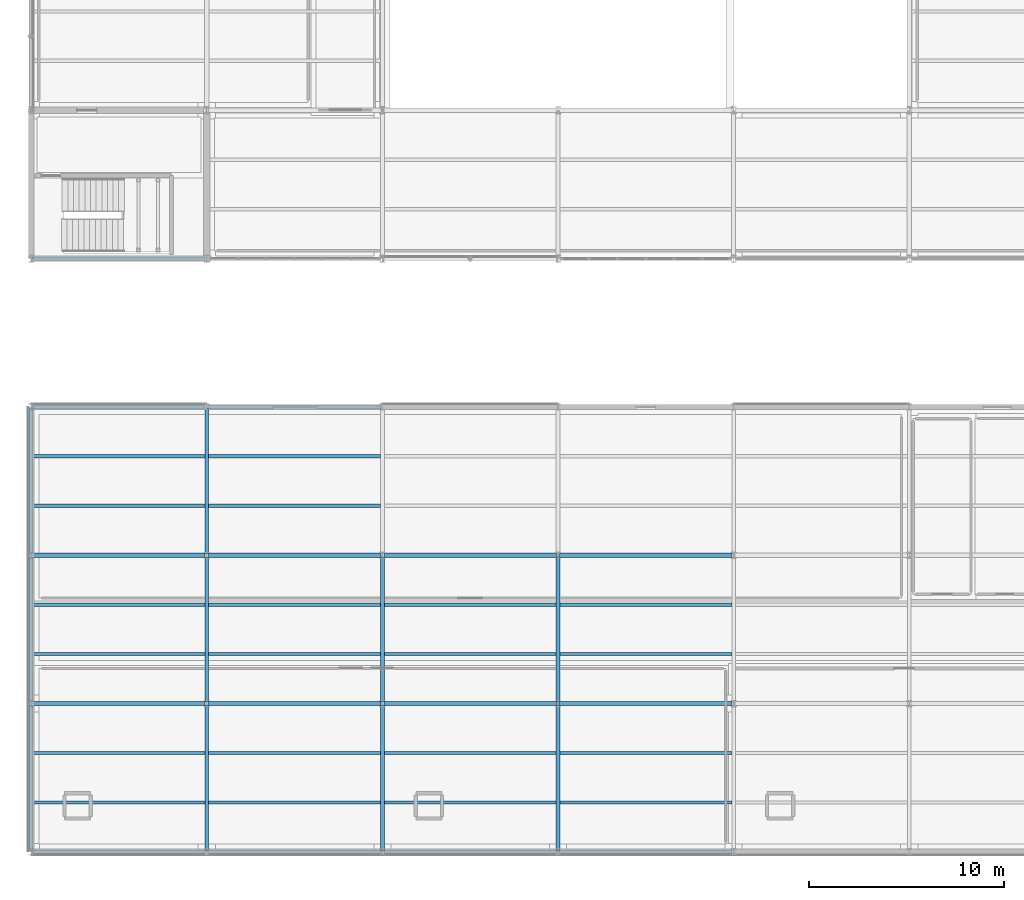
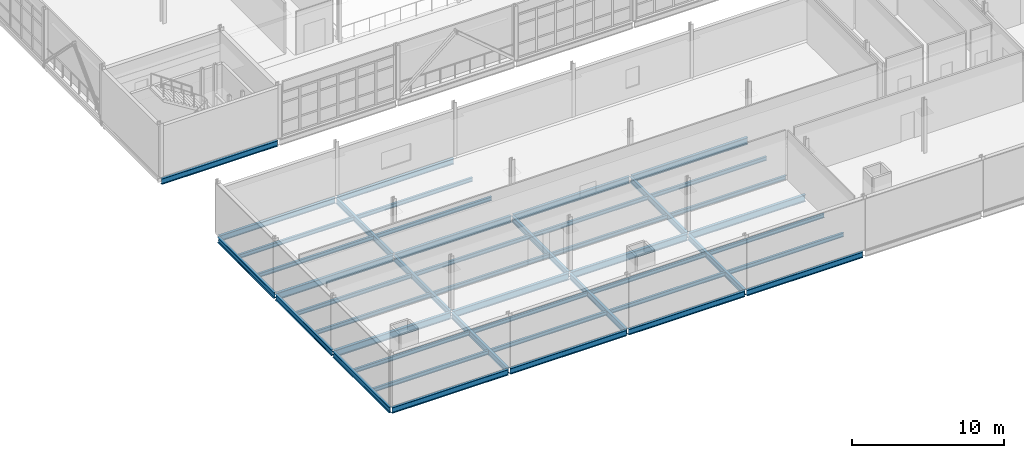
# One storey, part 28 of 174: 45 beams.
"""IFC4 building model written with IfcOpenShell, lengths in metres."""

import ifcopenshell
import ifcopenshell.guid

model = None  # the IFC model being written
_history = None  # IfcOwnerHistory: only IFC2X3 demands one
_inside = {}  # id of a spatial element -> (the spatial element, [elements in it])
_under = {}  # id of a project, library or spatial element -> (it, [spatial elements below it])
_declared = {}  # id of a project -> (the project, [libraries it declares])
_typed = {}  # id of a type object -> (the type object, [elements of that type])
_made_of = {}  # id of a material, layer set ... -> (it, [elements and type objects made of it])


def new_model(schema):
    """Start an empty IFC model of exactly this schema.

    Asked for "IFC4X3", IfcOpenShell would pick the latest addendum, in which some entities
    have other attributes; the version numbers below select the first issue.
    IFC2X3 requires an IfcOwnerHistory on every rooted entity: one is made here for all.
    """
    global model, _history
    if schema == "IFC4X3":
        model = ifcopenshell.file(schema_version=(4, 3, 0, 0))
    else:
        model = ifcopenshell.file(schema=schema)
    _inside.clear()
    _under.clear()
    _declared.clear()
    _typed.clear()
    _made_of.clear()
    _history = None
    if model.schema == "IFC2X3":
        org = make("IfcOrganization", Name="unknown")
        user = make(
            "IfcPersonAndOrganization",
            ThePerson=make("IfcPerson", FamilyName="unknown"),
            TheOrganization=org,
        )
        app = make(
            "IfcApplication",
            ApplicationDeveloper=org,
            Version="unknown",
            ApplicationFullName="unknown",
            ApplicationIdentifier="unknown",
        )
        _history = make(
            "IfcOwnerHistory",
            OwningUser=user,
            OwningApplication=app,
            ChangeAction="ADDED",
            CreationDate=0,
        )
    return model


def make(cls, **values):
    """One entity of the class cls with the attributes given. An attribute that is None is left unset."""
    return model.create_entity(
        cls, **{name: value for name, value in values.items() if value is not None}
    )


def rooted(cls, **values):
    """An entity with a GlobalId (a new one), such as an element, a storey or a relation."""
    return make(cls, GlobalId=ifcopenshell.guid.new(), OwnerHistory=_history, **values)


def si_unit(unit_type, name, prefix=None):
    """IfcSIUnit, for example si_unit("LENGTHUNIT", "METRE", prefix="MILLI")."""
    return make("IfcSIUnit", UnitType=unit_type, Prefix=prefix, Name=name)


def assignment(units):
    """IfcUnitAssignment: the units of a project."""
    return None if units is None else make("IfcUnitAssignment", Units=units)


def point(xyz):
    """IfcCartesianPoint."""
    return None if xyz is None else make("IfcCartesianPoint", Coordinates=xyz)


def direction(xyz):
    """IfcDirection."""
    return None if xyz is None else make("IfcDirection", DirectionRatios=xyz)


def frame(location, z_axis=None, x_axis=None):
    """IfcAxis2Placement3D, a coordinate frame: its origin and axes. An axis left out is left unset."""
    return make(
        "IfcAxis2Placement3D",
        Location=point(location),
        Axis=direction(z_axis),
        RefDirection=direction(x_axis),
    )


def frame_2d(location, x_axis=None):
    """IfcAxis2Placement2D, a coordinate frame in the plane: its origin and x axis."""
    return make(
        "IfcAxis2Placement2D", Location=point(location), RefDirection=direction(x_axis)
    )


def origin():
    """The frame at (0, 0, 0) with its axes left unset."""
    return frame((0.0, 0.0, 0.0))


def origin_2d():
    """The frame at (0, 0) in the plane with its x axis left unset."""
    return frame_2d((0.0, 0.0))


def place(relative_to, where):
    """IfcLocalPlacement: puts the frame where relative to a parent placement (None: the world)."""
    return make(
        "IfcLocalPlacement", PlacementRelTo=relative_to, RelativePlacement=where
    )


def context(
    kind, dimensions, precision=None, world=None, true_north=None, identifier=None
):
    """IfcGeometricRepresentationContext, for example the 3D "Model" context."""
    return make(
        "IfcGeometricRepresentationContext",
        ContextIdentifier=identifier,
        ContextType=kind,
        CoordinateSpaceDimension=dimensions,
        Precision=precision,
        WorldCoordinateSystem=world,
        TrueNorth=true_north,
    )


def subcontext(parent, identifier, kind, view, scale=None):
    """IfcGeometricRepresentationSubContext, for example "Body" below "Model"."""
    return make(
        "IfcGeometricRepresentationSubContext",
        ContextIdentifier=identifier,
        ContextType=kind,
        ParentContext=parent,
        TargetScale=scale,
        TargetView=view,
    )


def project(units=None, contexts=None):
    """IfcProject with its units and contexts."""
    return rooted(
        "IfcProject",
        Name="project",
        RepresentationContexts=contexts,
        UnitsInContext=assignment(units),
    )


def spatial(cls, under=None, at=None, **own):
    """A site, building, storey or space (cls), placed at a placement, below another one or the project."""
    s = rooted(cls, ObjectPlacement=at, **own)
    if under is not None:
        _under.setdefault(under.id(), (under, []))[1].append(s)
    return s


def profile(cls, at=None, kind="AREA", **sizes):
    """A parametric profile (cls). Its sizes go by their IFC names, for example OverallWidth=200.0."""
    return make(cls, ProfileType=kind, Position=at, **sizes)


def i_section(**sizes):
    """IfcIShapeProfileDef."""
    return profile("IfcIShapeProfileDef", **sizes)


def extrude(swept, where, along, depth):
    """IfcExtrudedAreaSolid: the profile swept, set in the frame where, extruded along a direction by depth."""
    return make(
        "IfcExtrudedAreaSolid",
        SweptArea=swept,
        Position=where,
        ExtrudedDirection=direction(along),
        Depth=depth,
    )


def shape(context_of_items, identifier, shape_type, items):
    """IfcShapeRepresentation: the items that make up one representation, for example the "Body"."""
    return make(
        "IfcShapeRepresentation",
        ContextOfItems=context_of_items,
        RepresentationIdentifier=identifier,
        RepresentationType=shape_type,
        Items=items,
    )


def material(Name=None, Category=None):
    """IfcMaterial."""
    return make("IfcMaterial", Name=Name, Category=Category)


def material_profile(
    of_material, cross_section, Name=None, Category=None, Priority=None
):
    """IfcMaterialProfile: a cross section and its material."""
    return make(
        "IfcMaterialProfile",
        Name=Name,
        Material=of_material,
        Profile=cross_section,
        Priority=Priority,
        Category=Category,
    )


def profile_set(profiles, Name=None, composite=None):
    """IfcMaterialProfileSet."""
    return make(
        "IfcMaterialProfileSet",
        Name=Name,
        MaterialProfiles=profiles,
        CompositeProfile=composite,
    )


def made_of(thing, what):
    """Note that an element or type object is made of a material, layer set ...; save() writes the relation."""
    if what is not None:
        _made_of.setdefault(what.id(), (what, []))[1].append(thing)
    return thing


def type_object(cls, material=None, **own):
    """A type object (cls), such as IfcWallType, which elements share."""
    return made_of(rooted(cls, **own), material)


def element(
    cls,
    number,
    at=None,
    inside=None,
    cuts=None,
    type_object=None,
    material=None,
    context=None,
    identifier="Body",
    shape_type=None,
    held_by="IfcProductDefinitionShape",
    body=None,
    shapes=None,
    **own,
):
    """One element of the class cls, such as IfcWall. Its Tag is "e" and its number.

    at: its placement. inside: the storey or other place that contains it. cuts: it is an
    opening in that element (IfcRelVoidsElement). A single representation is given by context,
    identifier, shape_type and body (its items); several are given by shapes. held_by: the class
    of the entity that holds the representations. save() writes the other relations.
    """
    e = rooted(cls, Tag="e%d" % number, ObjectPlacement=at, **own)
    if body is not None:
        shapes = [shape(context, identifier, shape_type, body)]
    if shapes is not None:
        e.Representation = make(held_by, Representations=shapes)
    if inside is not None:
        _inside.setdefault(inside.id(), (inside, []))[1].append(e)
    if cuts is not None:
        rooted(
            "IfcRelVoidsElement", RelatingBuildingElement=cuts, RelatedOpeningElement=e
        )
    if type_object is not None:
        _typed.setdefault(type_object.id(), (type_object, []))[1].append(e)
    return made_of(e, material)


def aggregate(whole, parts):
    """IfcRelAggregates: a whole, such as a stair, and the parts it consists of."""
    return rooted("IfcRelAggregates", RelatingObject=whole, RelatedObjects=parts)


def save(model, path):
    """Write the relations noted so far, then the file.

    IfcRelAggregates (storeys below a building ...), IfcRelContainedInSpatialStructure (elements
    in a storey), IfcRelDefinesByType, IfcRelAssociatesMaterial and IfcRelDeclares: one each for
    every whole, place, type object, material and project.
    """
    for whole, parts in _under.values():
        aggregate(whole, parts)
    for where, things in _inside.values():
        rooted(
            "IfcRelContainedInSpatialStructure",
            RelatedElements=things,
            RelatingStructure=where,
        )
    for kind, things in _typed.values():
        rooted("IfcRelDefinesByType", RelatedObjects=things, RelatingType=kind)
    for what, things in _made_of.values():
        rooted("IfcRelAssociatesMaterial", RelatedObjects=things, RelatingMaterial=what)
    for by, libraries in _declared.values():
        rooted("IfcRelDeclares", RelatingContext=by, RelatedDefinitions=libraries)
    model.write(path)


model = new_model("IFC4")

# Units and contexts
model_context = context("Model", 3, precision=1e-05, world=origin(), true_north=direction((0.0, 1.0)))
body_context = subcontext(model_context, "Body", "Model", "MODEL_VIEW")
ifc_project = project(units=[si_unit("LENGTHUNIT", "METRE"), si_unit("AREAUNIT", "SQUARE_METRE"), si_unit("VOLUMEUNIT", "CUBIC_METRE"), si_unit("PLANEANGLEUNIT", "RADIAN"), si_unit("MASSUNIT", "GRAM", prefix="KILO")], contexts=[model_context])

# Site, building, storey
site_placement = place(None, origin())
site = spatial("IfcSite", under=ifc_project, at=site_placement, CompositionType="ELEMENT")
building_placement = place(site_placement, origin())
building = spatial("IfcBuilding", under=site, at=building_placement, Name="Caisbarro Railhouse Central Library", CompositionType="ELEMENT")
storey_placement = place(building_placement, frame((0.0, 0.0, 5.0400390625)))
storey = spatial("IfcBuildingStorey", under=building, at=storey_placement, Name="L01", CompositionType="ELEMENT", Elevation=5.0400390625)

# Beams
ifc_material = material(Name="Steel ASTM A572 Grade 50", Category="steel")
ifc_material_profile_1 = material_profile(ifc_material, i_section(OverallWidth=0.2119140625, OverallDepth=0.5439453125, WebThickness=0.01318359375, FlangeThickness=0.021240234375, FilletRadius=0.02001953125, at=origin_2d()), Name="W530X123.0")
ifc_profile_set_1 = profile_set([ifc_material_profile_1], Name="Steel ASTM A572 Grade 50")
beam_type_1 = type_object("IfcBeamType", Name="BM-G05", PredefinedType="BEAM", material=ifc_profile_set_1)
for number, where, z_axis, x_axis, name in (
    (1, (0.080078125, 7.60009765625, -0.471923828125), (1.0, 0.0, 0.0), (0.0, 1.0, 0.0), "G05 beam L01 #1087"),
    (2, (9.080078125, 7.60009765625, -0.471923828125), (1.0, 0.0, 0.0), (0.0, 1.0, 0.0), "G05 beam L01 #1088"),
    (3, (18.080078125, 7.60009765625, -0.471923828125), (1.0, 0.0, 0.0), (0.0, 1.0, 0.0), "G05 beam L01 #1089"),
    (4, (27.080078125, 7.60009765625, -0.471923828125), (1.0, 0.0, 0.0), (0.0, 1.0, 0.0), "G05 beam L01 #1090"),
    (5, (0.080078125, 15.199951171875, -0.471923828125), (1.0, 0.0, 0.0), (0.0, 1.0, 0.0), "G05 beam L01 #1093"),
    (6, (9.080078125, 15.199951171875, -0.471923828125), (1.0, 0.0, 0.0), (0.0, 1.0, 0.0), "G05 beam L01 #1094"),
    (7, (18.080078125, 15.199951171875, -0.471923828125), (1.0, 0.0, 0.0), (0.0, 1.0, 0.0), "G05 beam L01 #1095"),
    (8, (27.080078125, 15.199951171875, -0.471923828125), (1.0, 0.0, 0.0), (0.0, 1.0, 0.0), "G05 beam L01 #1096"),
):
    element("IfcBeam", number, at=place(storey_placement, frame(where, z_axis=z_axis, x_axis=x_axis)), inside=storey, type_object=beam_type_1, Name=name, PredefinedType="BEAM", context=body_context, shape_type="SweptSolid", body=[
        extrude(i_section(OverallWidth=0.2119140625, OverallDepth=0.5439453125, WebThickness=0.01318359375, FlangeThickness=0.021240234375, FilletRadius=0.02001953125, at=origin_2d()), origin(), (0.0, 0.0, 1.0), 8.83984375),
    ])
ifc_material_profile_2 = material_profile(ifc_material, i_section(OverallWidth=0.194091796875, OverallDepth=0.468994140625, WebThickness=0.0126953125, FlangeThickness=0.0205078125, FilletRadius=0.01806640625, at=origin_2d()), Name="W460X106.0")
ifc_profile_set_2 = profile_set([ifc_material_profile_2], Name="Steel ASTM A572 Grade 50")
beam_type_2 = type_object("IfcBeamType", Name="BM-G07", PredefinedType="BEAM", material=ifc_profile_set_2)
beam_1_placement = place(storey_placement, frame((0.0, 0.080078125, -0.4345703125), z_axis=(0.0, 1.0, 0.0), x_axis=(-1.0, 0.0, 0.0)))
element("IfcBeam", 9, at=beam_1_placement, inside=storey, type_object=beam_type_2, Name="G07 beam L01 #1105", PredefinedType="BEAM", context=body_context, shape_type="SweptSolid", body=[
    extrude(i_section(OverallWidth=0.194091796875, OverallDepth=0.468994140625, WebThickness=0.0126953125, FlangeThickness=0.0205078125, FilletRadius=0.01806640625, at=origin_2d()), origin(), (0.0, 0.0, 1.0), 7.43994140625),
])
beam_2_placement = place(storey_placement, frame((0.0, 7.679931640625, -0.4345703125), z_axis=(0.0, 1.0, 0.0), x_axis=(-1.0, 0.0, 0.0)))
element("IfcBeam", 10, at=beam_2_placement, inside=storey, type_object=beam_type_2, Name="G07 beam L01 #1106", PredefinedType="BEAM", context=body_context, shape_type="SweptSolid", body=[
    extrude(i_section(OverallWidth=0.194091796875, OverallDepth=0.468994140625, WebThickness=0.0126953125, FlangeThickness=0.0205078125, FilletRadius=0.01806640625, at=origin_2d()), origin(), (0.0, 0.0, 1.0), 7.440185546875),
])
for number, where, z_axis, x_axis, name in (
    (11, (0.0, 15.280029296875, -0.4345703125), (0.0, 1.0, 0.0), (-1.0, 0.0, 0.0), "G07 beam L01 #1107"),
    (12, (9.0, 0.080078125, -0.4345703125), (0.0, 1.0, 0.0), (-1.0, 0.0, 0.0), "G07 beam L01 #1108"),
):
    element("IfcBeam", number, at=place(storey_placement, frame(where, z_axis=z_axis, x_axis=x_axis)), inside=storey, type_object=beam_type_2, Name=name, PredefinedType="BEAM", context=body_context, shape_type="SweptSolid", body=[
        extrude(i_section(OverallWidth=0.194091796875, OverallDepth=0.468994140625, WebThickness=0.0126953125, FlangeThickness=0.0205078125, FilletRadius=0.01806640625, at=origin_2d()), origin(), (0.0, 0.0, 1.0), 7.43994140625),
    ])
beam_3_placement = place(storey_placement, frame((9.0, 7.679931640625, -0.4345703125), z_axis=(0.0, 1.0, 0.0), x_axis=(-1.0, 0.0, 0.0)))
element("IfcBeam", 13, at=beam_3_placement, inside=storey, type_object=beam_type_2, Name="G07 beam L01 #1109", PredefinedType="BEAM", context=body_context, shape_type="SweptSolid", body=[
    extrude(i_section(OverallWidth=0.194091796875, OverallDepth=0.468994140625, WebThickness=0.0126953125, FlangeThickness=0.0205078125, FilletRadius=0.01806640625, at=origin_2d()), origin(), (0.0, 0.0, 1.0), 7.440185546875),
])
for number, where, z_axis, x_axis, name in (
    (14, (9.0, 15.280029296875, -0.4345703125), (0.0, 1.0, 0.0), (-1.0, 0.0, 0.0), "G07 beam L01 #1110"),
    (15, (18.0, 0.080078125, -0.4345703125), (0.0, 1.0, 0.0), (-1.0, 0.0, 0.0), "G07 beam L01 #1111"),
):
    element("IfcBeam", number, at=place(storey_placement, frame(where, z_axis=z_axis, x_axis=x_axis)), inside=storey, type_object=beam_type_2, Name=name, PredefinedType="BEAM", context=body_context, shape_type="SweptSolid", body=[
        extrude(i_section(OverallWidth=0.194091796875, OverallDepth=0.468994140625, WebThickness=0.0126953125, FlangeThickness=0.0205078125, FilletRadius=0.01806640625, at=origin_2d()), origin(), (0.0, 0.0, 1.0), 7.43994140625),
    ])
beam_4_placement = place(storey_placement, frame((18.0, 7.679931640625, -0.4345703125), z_axis=(0.0, 1.0, 0.0), x_axis=(-1.0, 0.0, 0.0)))
element("IfcBeam", 16, at=beam_4_placement, inside=storey, type_object=beam_type_2, Name="G07 beam L01 #1112", PredefinedType="BEAM", context=body_context, shape_type="SweptSolid", body=[
    extrude(i_section(OverallWidth=0.194091796875, OverallDepth=0.468994140625, WebThickness=0.0126953125, FlangeThickness=0.0205078125, FilletRadius=0.01806640625, at=origin_2d()), origin(), (0.0, 0.0, 1.0), 7.440185546875),
])
beam_5_placement = place(storey_placement, frame((27.0, 0.080078125, -0.4345703125), z_axis=(0.0, 1.0, 0.0), x_axis=(-1.0, 0.0, 0.0)))
element("IfcBeam", 17, at=beam_5_placement, inside=storey, type_object=beam_type_2, Name="G07 beam L01 #1114", PredefinedType="BEAM", context=body_context, shape_type="SweptSolid", body=[
    extrude(i_section(OverallWidth=0.194091796875, OverallDepth=0.468994140625, WebThickness=0.0126953125, FlangeThickness=0.0205078125, FilletRadius=0.01806640625, at=origin_2d()), origin(), (0.0, 0.0, 1.0), 7.43994140625),
])
beam_6_placement = place(storey_placement, frame((27.0, 7.679931640625, -0.4345703125), z_axis=(0.0, 1.0, 0.0), x_axis=(-1.0, 0.0, 0.0)))
element("IfcBeam", 18, at=beam_6_placement, inside=storey, type_object=beam_type_2, Name="G07 beam L01 #1115", PredefinedType="BEAM", context=body_context, shape_type="SweptSolid", body=[
    extrude(i_section(OverallWidth=0.194091796875, OverallDepth=0.468994140625, WebThickness=0.0126953125, FlangeThickness=0.0205078125, FilletRadius=0.01806640625, at=origin_2d()), origin(), (0.0, 0.0, 1.0), 7.440185546875),
])
ifc_material_profile_3 = material_profile(ifc_material, i_section(OverallWidth=0.1669921875, OverallDepth=0.31689453125, WebThickness=0.007568359375, FlangeThickness=0.01318359375, FilletRadius=0.011962890625, at=origin_2d()), Name="W310X52.0")
ifc_profile_set_3 = profile_set([ifc_material_profile_3], Name="Steel ASTM A572 Grade 50")
beam_type_3 = type_object("IfcBeamType", Name="BM-J02", PredefinedType="JOIST", material=ifc_profile_set_3)
for number, where, z_axis, x_axis, name in (
    (19, (0.096923828125, 2.533203125, -0.358642578125), (1.0, 0.0, 0.0), (0.0, 1.0, 0.0), "J02 beam L01 #1123"),
    (20, (0.096923828125, 5.066650390625, -0.358642578125), (1.0, 0.0, 0.0), (0.0, 1.0, 0.0), "J02 beam L01 #1124"),
    (21, (0.096923828125, 10.13330078125, -0.358642578125), (1.0, 0.0, 0.0), (0.0, 1.0, 0.0), "J02 beam L01 #1125"),
    (22, (0.096923828125, 12.666748046875, -0.358642578125), (1.0, 0.0, 0.0), (0.0, 1.0, 0.0), "J02 beam L01 #1126"),
    (23, (0.096923828125, 17.7333984375, -0.358642578125), (1.0, 0.0, 0.0), (0.0, 1.0, 0.0), "J02 beam L01 #1127"),
    (24, (0.096923828125, 20.2666015625, -0.358642578125), (1.0, 0.0, 0.0), (0.0, 1.0, 0.0), "J02 beam L01 #1128"),
    (25, (9.096923828125, 2.533203125, -0.358642578125), (1.0, 0.0, 0.0), (0.0, 1.0, 0.0), "J02 beam L01 #1129"),
    (26, (9.096923828125, 5.066650390625, -0.358642578125), (1.0, 0.0, 0.0), (0.0, 1.0, 0.0), "J02 beam L01 #1130"),
    (27, (9.096923828125, 10.13330078125, -0.358642578125), (1.0, 0.0, 0.0), (0.0, 1.0, 0.0), "J02 beam L01 #1131"),
    (28, (9.096923828125, 12.666748046875, -0.358642578125), (1.0, 0.0, 0.0), (0.0, 1.0, 0.0), "J02 beam L01 #1132"),
    (29, (9.096923828125, 17.7333984375, -0.358642578125), (1.0, 0.0, 0.0), (0.0, 1.0, 0.0), "J02 beam L01 #1133"),
    (30, (9.096923828125, 20.2666015625, -0.358642578125), (1.0, 0.0, 0.0), (0.0, 1.0, 0.0), "J02 beam L01 #1134"),
    (31, (18.096923828125, 2.533203125, -0.358642578125), (1.0, 0.0, 0.0), (0.0, 1.0, 0.0), "J02 beam L01 #1135"),
    (32, (18.096923828125, 5.066650390625, -0.358642578125), (1.0, 0.0, 0.0), (0.0, 1.0, 0.0), "J02 beam L01 #1136"),
    (33, (18.096923828125, 10.13330078125, -0.358642578125), (1.0, 0.0, 0.0), (0.0, 1.0, 0.0), "J02 beam L01 #1137"),
    (34, (18.096923828125, 12.666748046875, -0.358642578125), (1.0, 0.0, 0.0), (0.0, 1.0, 0.0), "J02 beam L01 #1138"),
    (35, (27.096923828125, 2.533203125, -0.358642578125), (1.0, 0.0, 0.0), (0.0, 1.0, 0.0), "J02 beam L01 #1141"),
    (36, (27.096923828125, 5.066650390625, -0.358642578125), (1.0, 0.0, 0.0), (0.0, 1.0, 0.0), "J02 beam L01 #1142"),
    (37, (27.096923828125, 10.13330078125, -0.358642578125), (1.0, 0.0, 0.0), (0.0, 1.0, 0.0), "J02 beam L01 #1143"),
    (38, (27.096923828125, 12.666748046875, -0.358642578125), (1.0, 0.0, 0.0), (0.0, 1.0, 0.0), "J02 beam L01 #1144"),
):
    element("IfcBeam", number, at=place(storey_placement, frame(where, z_axis=z_axis, x_axis=x_axis)), inside=storey, type_object=beam_type_3, Name=name, PredefinedType="JOIST", context=body_context, shape_type="SweptSolid", body=[
        extrude(i_section(OverallWidth=0.1669921875, OverallDepth=0.31689453125, WebThickness=0.007568359375, FlangeThickness=0.01318359375, FilletRadius=0.011962890625, at=origin_2d()), origin(), (0.0, 0.0, 1.0), 8.80615234375),
    ])
ifc_material_profile_4 = material_profile(ifc_material, i_section(OverallWidth=0.18994140625, OverallDepth=0.45703125, WebThickness=0.009033203125, FlangeThickness=0.014404296875, FilletRadius=0.01806640625, at=origin_2d()), Name="W460X74.0")
ifc_profile_set_4 = profile_set([ifc_material_profile_4], Name="Steel ASTM A572 Grade 50")
beam_type_4 = type_object("IfcBeamType", Name="BM-SP01", PredefinedType="SPANDREL", material=ifc_profile_set_4)
for number, where, z_axis, x_axis, name in (
    (39, (0.080078125, 30.39990234375, -0.448486328125), (1.0, 0.0, 0.0), (0.0, 1.0, 0.0), "SP01 beam L01 #790"),
    (40, (0.080078125, 0.0, -0.428466796875), (1.0, 0.0, 0.0), (0.0, 1.0, 0.0), "SP01 beam L01 #1081"),
    (41, (9.080078125, 0.0, -0.428466796875), (1.0, 0.0, 0.0), (0.0, 1.0, 0.0), "SP01 beam L01 #1082"),
    (42, (18.080078125, 0.0, -0.428466796875), (1.0, 0.0, 0.0), (0.0, 1.0, 0.0), "SP01 beam L01 #1083"),
    (43, (27.080078125, 0.0, -0.428466796875), (1.0, 0.0, 0.0), (0.0, 1.0, 0.0), "SP01 beam L01 #1084"),
    (44, (0.080078125, 22.800048828125, -0.428466796875), (1.0, 0.0, 0.0), (0.0, 1.0, 0.0), "SP01 beam L01 #1099"),
    (45, (9.080078125, 22.800048828125, -0.428466796875), (1.0, 0.0, 0.0), (0.0, 1.0, 0.0), "SP01 beam L01 #1100"),
):
    element("IfcBeam", number, at=place(storey_placement, frame(where, z_axis=z_axis, x_axis=x_axis)), inside=storey, type_object=beam_type_4, Name=name, PredefinedType="SPANDREL", context=body_context, shape_type="SweptSolid", body=[
        extrude(i_section(OverallWidth=0.18994140625, OverallDepth=0.45703125, WebThickness=0.009033203125, FlangeThickness=0.014404296875, FilletRadius=0.01806640625, at=origin_2d()), origin(), (0.0, 0.0, 1.0), 8.83984375),
    ])

save(model, "model.ifc")
